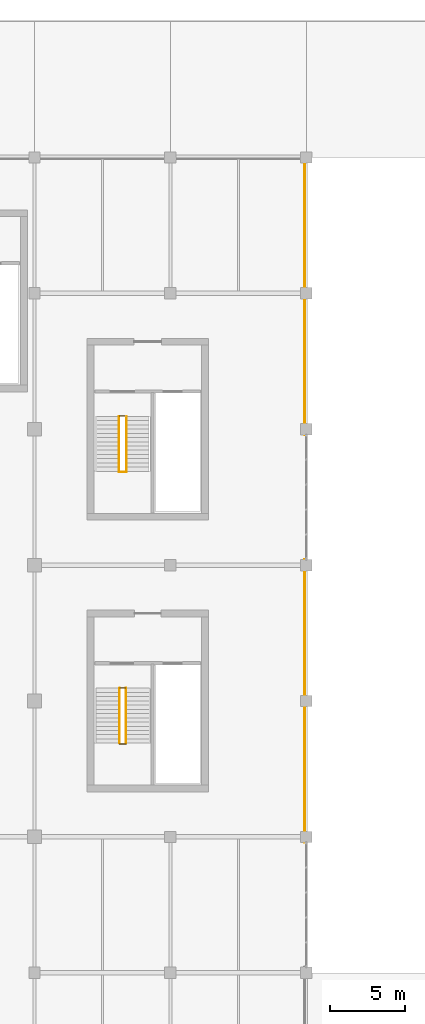
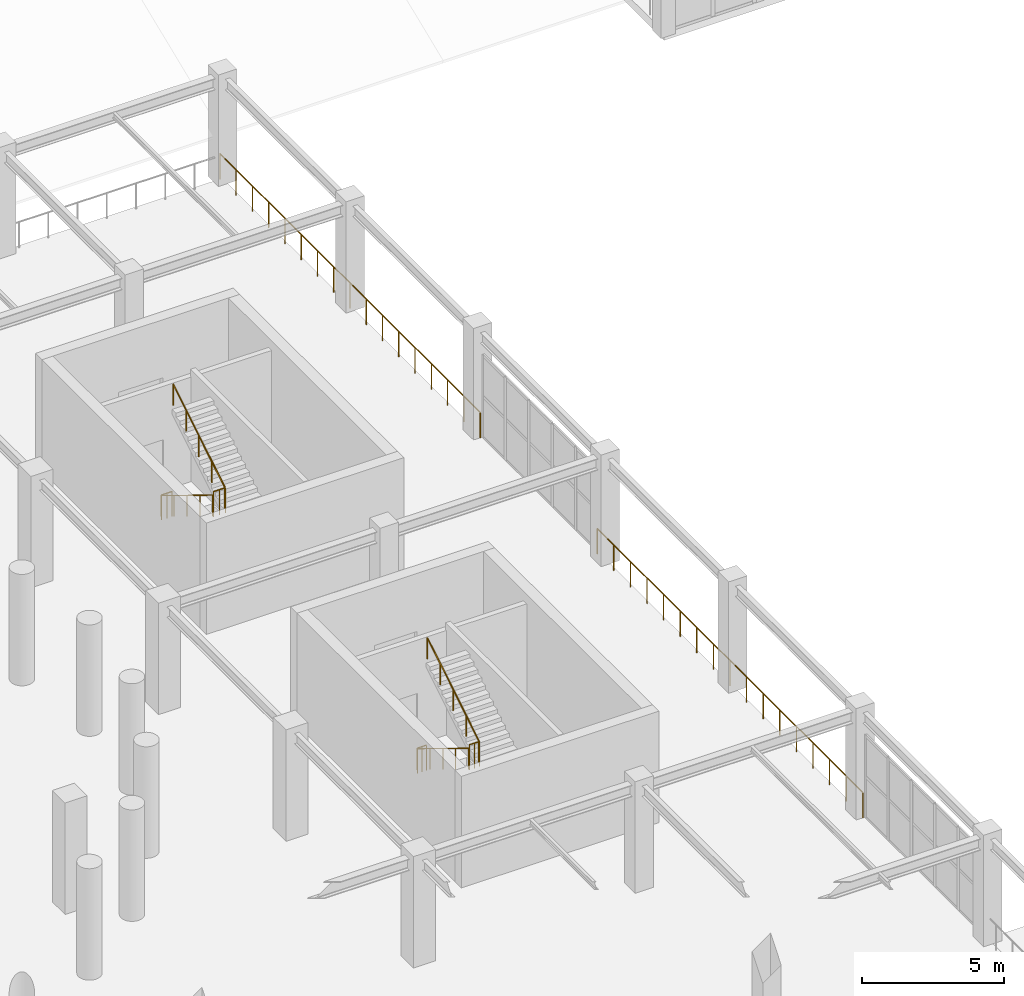
# One storey, part 83 of 89: 10 railings.
"""IFC4 building model written with IfcOpenShell, lengths in metres."""

import ifcopenshell
import ifcopenshell.guid

model = None  # the IFC model being written
_history = None  # IfcOwnerHistory: only IFC2X3 demands one
_inside = {}  # id of a spatial element -> (the spatial element, [elements in it])
_under = {}  # id of a project, library or spatial element -> (it, [spatial elements below it])
_declared = {}  # id of a project -> (the project, [libraries it declares])
_typed = {}  # id of a type object -> (the type object, [elements of that type])
_made_of = {}  # id of a material, layer set ... -> (it, [elements and type objects made of it])


def new_model(schema):
    """Start an empty IFC model of exactly this schema.

    Asked for "IFC4X3", IfcOpenShell would pick the latest addendum, in which some entities
    have other attributes; the version numbers below select the first issue.
    IFC2X3 requires an IfcOwnerHistory on every rooted entity: one is made here for all.
    """
    global model, _history
    if schema == "IFC4X3":
        model = ifcopenshell.file(schema_version=(4, 3, 0, 0))
    else:
        model = ifcopenshell.file(schema=schema)
    _inside.clear()
    _under.clear()
    _declared.clear()
    _typed.clear()
    _made_of.clear()
    _history = None
    if model.schema == "IFC2X3":
        org = make("IfcOrganization", Name="unknown")
        user = make(
            "IfcPersonAndOrganization",
            ThePerson=make("IfcPerson", FamilyName="unknown"),
            TheOrganization=org,
        )
        app = make(
            "IfcApplication",
            ApplicationDeveloper=org,
            Version="unknown",
            ApplicationFullName="unknown",
            ApplicationIdentifier="unknown",
        )
        _history = make(
            "IfcOwnerHistory",
            OwningUser=user,
            OwningApplication=app,
            ChangeAction="ADDED",
            CreationDate=0,
        )
    return model


def make(cls, **values):
    """One entity of the class cls with the attributes given. An attribute that is None is left unset."""
    return model.create_entity(
        cls, **{name: value for name, value in values.items() if value is not None}
    )


def rooted(cls, **values):
    """An entity with a GlobalId (a new one), such as an element, a storey or a relation."""
    return make(cls, GlobalId=ifcopenshell.guid.new(), OwnerHistory=_history, **values)


def si_unit(unit_type, name, prefix=None):
    """IfcSIUnit, for example si_unit("LENGTHUNIT", "METRE", prefix="MILLI")."""
    return make("IfcSIUnit", UnitType=unit_type, Prefix=prefix, Name=name)


def assignment(units):
    """IfcUnitAssignment: the units of a project."""
    return None if units is None else make("IfcUnitAssignment", Units=units)


def point(xyz):
    """IfcCartesianPoint."""
    return None if xyz is None else make("IfcCartesianPoint", Coordinates=xyz)


def direction(xyz):
    """IfcDirection."""
    return None if xyz is None else make("IfcDirection", DirectionRatios=xyz)


def frame(location, z_axis=None, x_axis=None):
    """IfcAxis2Placement3D, a coordinate frame: its origin and axes. An axis left out is left unset."""
    return make(
        "IfcAxis2Placement3D",
        Location=point(location),
        Axis=direction(z_axis),
        RefDirection=direction(x_axis),
    )


def frame_2d(location, x_axis=None):
    """IfcAxis2Placement2D, a coordinate frame in the plane: its origin and x axis."""
    return make(
        "IfcAxis2Placement2D", Location=point(location), RefDirection=direction(x_axis)
    )


def origin():
    """The frame at (0, 0, 0) with its axes left unset."""
    return frame((0.0, 0.0, 0.0))


def origin_2d():
    """The frame at (0, 0) in the plane with its x axis left unset."""
    return frame_2d((0.0, 0.0))


def place(relative_to, where):
    """IfcLocalPlacement: puts the frame where relative to a parent placement (None: the world)."""
    return make(
        "IfcLocalPlacement", PlacementRelTo=relative_to, RelativePlacement=where
    )


def context(
    kind, dimensions, precision=None, world=None, true_north=None, identifier=None
):
    """IfcGeometricRepresentationContext, for example the 3D "Model" context."""
    return make(
        "IfcGeometricRepresentationContext",
        ContextIdentifier=identifier,
        ContextType=kind,
        CoordinateSpaceDimension=dimensions,
        Precision=precision,
        WorldCoordinateSystem=world,
        TrueNorth=true_north,
    )


def subcontext(parent, identifier, kind, view, scale=None):
    """IfcGeometricRepresentationSubContext, for example "Body" below "Model"."""
    return make(
        "IfcGeometricRepresentationSubContext",
        ContextIdentifier=identifier,
        ContextType=kind,
        ParentContext=parent,
        TargetScale=scale,
        TargetView=view,
    )


def project(units=None, contexts=None):
    """IfcProject with its units and contexts."""
    return rooted(
        "IfcProject",
        Name="project",
        RepresentationContexts=contexts,
        UnitsInContext=assignment(units),
    )


def spatial(cls, under=None, at=None, **own):
    """A site, building, storey or space (cls), placed at a placement, below another one or the project."""
    s = rooted(cls, ObjectPlacement=at, **own)
    if under is not None:
        _under.setdefault(under.id(), (under, []))[1].append(s)
    return s


def profile(cls, at=None, kind="AREA", **sizes):
    """A parametric profile (cls). Its sizes go by their IFC names, for example OverallWidth=200.0."""
    return make(cls, ProfileType=kind, Position=at, **sizes)


def circle(**sizes):
    """IfcCircleProfileDef."""
    return profile("IfcCircleProfileDef", **sizes)


def extrude(swept, where, along, depth):
    """IfcExtrudedAreaSolid: the profile swept, set in the frame where, extruded along a direction by depth."""
    return make(
        "IfcExtrudedAreaSolid",
        SweptArea=swept,
        Position=where,
        ExtrudedDirection=direction(along),
        Depth=depth,
    )


def shape(context_of_items, identifier, shape_type, items):
    """IfcShapeRepresentation: the items that make up one representation, for example the "Body"."""
    return make(
        "IfcShapeRepresentation",
        ContextOfItems=context_of_items,
        RepresentationIdentifier=identifier,
        RepresentationType=shape_type,
        Items=items,
    )


def material(Name=None, Category=None):
    """IfcMaterial."""
    return make("IfcMaterial", Name=Name, Category=Category)


def made_of(thing, what):
    """Note that an element or type object is made of a material, layer set ...; save() writes the relation."""
    if what is not None:
        _made_of.setdefault(what.id(), (what, []))[1].append(thing)
    return thing


def type_object(cls, material=None, **own):
    """A type object (cls), such as IfcWallType, which elements share."""
    return made_of(rooted(cls, **own), material)


def element(
    cls,
    number,
    at=None,
    inside=None,
    cuts=None,
    type_object=None,
    material=None,
    context=None,
    identifier="Body",
    shape_type=None,
    held_by="IfcProductDefinitionShape",
    body=None,
    shapes=None,
    **own,
):
    """One element of the class cls, such as IfcWall. Its Tag is "e" and its number.

    at: its placement. inside: the storey or other place that contains it. cuts: it is an
    opening in that element (IfcRelVoidsElement). A single representation is given by context,
    identifier, shape_type and body (its items); several are given by shapes. held_by: the class
    of the entity that holds the representations. save() writes the other relations.
    """
    e = rooted(cls, Tag="e%d" % number, ObjectPlacement=at, **own)
    if body is not None:
        shapes = [shape(context, identifier, shape_type, body)]
    if shapes is not None:
        e.Representation = make(held_by, Representations=shapes)
    if inside is not None:
        _inside.setdefault(inside.id(), (inside, []))[1].append(e)
    if cuts is not None:
        rooted(
            "IfcRelVoidsElement", RelatingBuildingElement=cuts, RelatedOpeningElement=e
        )
    if type_object is not None:
        _typed.setdefault(type_object.id(), (type_object, []))[1].append(e)
    return made_of(e, material)


def aggregate(whole, parts):
    """IfcRelAggregates: a whole, such as a stair, and the parts it consists of."""
    return rooted("IfcRelAggregates", RelatingObject=whole, RelatedObjects=parts)


def save(model, path):
    """Write the relations noted so far, then the file.

    IfcRelAggregates (storeys below a building ...), IfcRelContainedInSpatialStructure (elements
    in a storey), IfcRelDefinesByType, IfcRelAssociatesMaterial and IfcRelDeclares: one each for
    every whole, place, type object, material and project.
    """
    for whole, parts in _under.values():
        aggregate(whole, parts)
    for where, things in _inside.values():
        rooted(
            "IfcRelContainedInSpatialStructure",
            RelatedElements=things,
            RelatingStructure=where,
        )
    for kind, things in _typed.values():
        rooted("IfcRelDefinesByType", RelatedObjects=things, RelatingType=kind)
    for what, things in _made_of.values():
        rooted("IfcRelAssociatesMaterial", RelatedObjects=things, RelatingMaterial=what)
    for by, libraries in _declared.values():
        rooted("IfcRelDeclares", RelatingContext=by, RelatedDefinitions=libraries)
    model.write(path)


model = new_model("IFC4")

# Units and contexts
model_context = context("Model", 3, precision=1e-05, world=origin(), true_north=direction((0.0, 1.0)))
body_context = subcontext(model_context, "Body", "Model", "MODEL_VIEW")
ifc_project = project(units=[si_unit("LENGTHUNIT", "METRE"), si_unit("AREAUNIT", "SQUARE_METRE"), si_unit("VOLUMEUNIT", "CUBIC_METRE"), si_unit("PLANEANGLEUNIT", "RADIAN"), si_unit("MASSUNIT", "GRAM", prefix="KILO")], contexts=[model_context])

# Site, building, storey
site_placement = place(None, origin())
site = spatial("IfcSite", under=ifc_project, at=site_placement, CompositionType="ELEMENT")
building_placement = place(site_placement, origin())
building = spatial("IfcBuilding", under=site, at=building_placement, Name="Dornveld Trade and Exhibition Forum", CompositionType="ELEMENT")
storey_placement = place(building_placement, frame((0.0, 0.0, 12.0)))
storey = spatial("IfcBuildingStorey", under=building, at=storey_placement, Name="L02", CompositionType="ELEMENT", Elevation=12.0)

# Railings
ifc_material_1 = material(Name="Dark-bronze steel and laminated glass balustrade", Category="steel")
railing_type_1 = type_object("IfcRailingType", Name="RL-BALUST-CONC", PredefinedType="BALUSTRADE", material=ifc_material_1)
railing_1_placement = place(storey_placement, frame((152.89990234375, 108.0, 0.0)))
element("IfcRailing", 1, at=railing_1_placement, inside=storey, type_object=railing_type_1, Name="L02 deck edge balustrade 139", PredefinedType="BALUSTRADE", context=body_context, shape_type="SweptSolid", body=[
    extrude(circle(Radius=0.02490234375, at=origin_2d()), frame((0.0, 0.0, 1.09521484375), z_axis=(0.0, -1.0, 0.0), x_axis=(1.0, 0.0, 0.0)), (0.0, 0.0, 1.0), 18.37109375),
    extrude(circle(Radius=0.02099609375, at=origin_2d()), origin(), (0.0, 0.0, 1.0), 1.070068359375),
    extrude(circle(Radius=0.02099609375, at=origin_2d()), frame((0.0, -1.148193359375, 0.0)), (0.0, 0.0, 1.0), 1.070068359375),
    extrude(circle(Radius=0.02099609375, at=origin_2d()), frame((0.0, -2.29638671875, 0.0)), (0.0, 0.0, 1.0), 1.070068359375),
    extrude(circle(Radius=0.02099609375, at=origin_2d()), frame((0.0, -3.444580078125, 0.0)), (0.0, 0.0, 1.0), 1.070068359375),
    extrude(circle(Radius=0.02099609375, at=origin_2d()), frame((0.0, -4.5927734375, 0.0)), (0.0, 0.0, 1.0), 1.070068359375),
    extrude(circle(Radius=0.02099609375, at=origin_2d()), frame((0.0, -5.740966796875, 0.0)), (0.0, 0.0, 1.0), 1.070068359375),
    extrude(circle(Radius=0.02099609375, at=origin_2d()), frame((0.0, -6.88916015625, 0.0)), (0.0, 0.0, 1.0), 1.070068359375),
    extrude(circle(Radius=0.02099609375, at=origin_2d()), frame((0.0, -8.037353515625, 0.0)), (0.0, 0.0, 1.0), 1.070068359375),
    extrude(circle(Radius=0.02099609375, at=origin_2d()), frame((0.0, -9.185546875, 0.0)), (0.0, 0.0, 1.0), 1.070068359375),
    extrude(circle(Radius=0.02099609375, at=origin_2d()), frame((0.0, -10.333740234375, 0.0)), (0.0, 0.0, 1.0), 1.070068359375),
    extrude(circle(Radius=0.02099609375, at=origin_2d()), frame((0.0, -11.48193359375, 0.0)), (0.0, 0.0, 1.0), 1.070068359375),
    extrude(circle(Radius=0.02099609375, at=origin_2d()), frame((0.0, -12.630126953125, 0.0)), (0.0, 0.0, 1.0), 1.070068359375),
    extrude(circle(Radius=0.02099609375, at=origin_2d()), frame((0.0, -13.7783203125, 0.0)), (0.0, 0.0, 1.0), 1.070068359375),
    extrude(circle(Radius=0.02099609375, at=origin_2d()), frame((0.0, -14.926513671875, 0.0)), (0.0, 0.0, 1.0), 1.070068359375),
    extrude(circle(Radius=0.02099609375, at=origin_2d()), frame((0.0, -16.07470703125, 0.0)), (0.0, 0.0, 1.0), 1.070068359375),
    extrude(circle(Radius=0.02099609375, at=origin_2d()), frame((0.0, -17.222900390625, 0.0)), (0.0, 0.0, 1.0), 1.070068359375),
    extrude(circle(Radius=0.02099609375, at=origin_2d()), frame((0.0, -18.37109375, 0.0)), (0.0, 0.0, 1.0), 1.070068359375),
])
railing_2_placement = place(storey_placement, frame((152.89990234375, 81.37109375, 0.0)))
element("IfcRailing", 2, at=railing_2_placement, inside=storey, type_object=railing_type_1, Name="L02 deck edge balustrade 140", PredefinedType="BALUSTRADE", context=body_context, shape_type="SweptSolid", body=[
    extrude(circle(Radius=0.02490234375, at=origin_2d()), frame((0.0, 0.0, 1.09521484375), z_axis=(0.0, -1.0, 0.0), x_axis=(1.0, 0.0, 0.0)), (0.0, 0.0, 1.0), 18.7421875),
    extrude(circle(Radius=0.02099609375, at=origin_2d()), origin(), (0.0, 0.0, 1.0), 1.070068359375),
    extrude(circle(Radius=0.02099609375, at=origin_2d()), frame((0.0, -1.17138671875, 0.0)), (0.0, 0.0, 1.0), 1.070068359375),
    extrude(circle(Radius=0.02099609375, at=origin_2d()), frame((0.0, -2.3427734375, 0.0)), (0.0, 0.0, 1.0), 1.070068359375),
    extrude(circle(Radius=0.02099609375, at=origin_2d()), frame((0.0, -3.51416015625, 0.0)), (0.0, 0.0, 1.0), 1.070068359375),
    extrude(circle(Radius=0.02099609375, at=origin_2d()), frame((0.0, -4.685546875, 0.0)), (0.0, 0.0, 1.0), 1.070068359375),
    extrude(circle(Radius=0.02099609375, at=origin_2d()), frame((0.0, -5.85693359375, 0.0)), (0.0, 0.0, 1.0), 1.070068359375),
    extrude(circle(Radius=0.02099609375, at=origin_2d()), frame((0.0, -7.0283203125, 0.0)), (0.0, 0.0, 1.0), 1.070068359375),
    extrude(circle(Radius=0.02099609375, at=origin_2d()), frame((0.0, -8.19970703125, 0.0)), (0.0, 0.0, 1.0), 1.070068359375),
    extrude(circle(Radius=0.02099609375, at=origin_2d()), frame((0.0, -9.37109375, 0.0)), (0.0, 0.0, 1.0), 1.070068359375),
    extrude(circle(Radius=0.02099609375, at=origin_2d()), frame((0.0, -10.54248046875, 0.0)), (0.0, 0.0, 1.0), 1.070068359375),
    extrude(circle(Radius=0.02099609375, at=origin_2d()), frame((0.0, -11.7138671875, 0.0)), (0.0, 0.0, 1.0), 1.070068359375),
    extrude(circle(Radius=0.02099609375, at=origin_2d()), frame((0.0, -12.88525390625, 0.0)), (0.0, 0.0, 1.0), 1.070068359375),
    extrude(circle(Radius=0.02099609375, at=origin_2d()), frame((0.0, -14.056640625, 0.0)), (0.0, 0.0, 1.0), 1.070068359375),
    extrude(circle(Radius=0.02099609375, at=origin_2d()), frame((0.0, -15.22802734375, 0.0)), (0.0, 0.0, 1.0), 1.070068359375),
    extrude(circle(Radius=0.02099609375, at=origin_2d()), frame((0.0, -16.3994140625, 0.0)), (0.0, 0.0, 1.0), 1.070068359375),
    extrude(circle(Radius=0.02099609375, at=origin_2d()), frame((0.0, -17.57080078125, 0.0)), (0.0, 0.0, 1.0), 1.070068359375),
    extrude(circle(Radius=0.02099609375, at=origin_2d()), frame((0.0, -18.7421875, 0.0)), (0.0, 0.0, 1.0), 1.070068359375),
])
ifc_material_2 = material(Name="Brushed stainless steel handrail", Category="steel")
railing_type_2 = type_object("IfcRailingType", Name="RL-HAND-920", PredefinedType="HANDRAIL", material=ifc_material_2)
railing_3_placement = place(storey_placement, frame((140.60498046875, 90.85009765625, 0.17138671875)))
element("IfcRailing", 3, at=railing_3_placement, inside=storey, type_object=railing_type_2, Name="ST-01-L02 flight 1 handrail", PredefinedType="HANDRAIL", context=body_context, shape_type="SweptSolid", body=[
    extrude(circle(Radius=0.02099609375, at=origin_2d()), frame((0.0, 0.0, 0.89892578125), z_axis=(0.0, -0.852865859571, 0.52213008492), x_axis=(1.0, 0.0, 0.0)), (0.0, 0.0, 1.0), 4.26806640625),
    extrude(circle(Radius=0.01806640625, at=origin_2d()), origin(), (0.0, 0.0, 1.0), 0.8779296875),
    extrude(circle(Radius=0.01806640625, at=origin_2d()), frame((0.0, -0.91015625, 0.55712890625)), (0.0, 0.0, 1.0), 0.8779296875),
    extrude(circle(Radius=0.01806640625, at=origin_2d()), frame((0.0, -1.820068359375, 1.1142578125)), (0.0, 0.0, 1.0), 0.8779296875),
    extrude(circle(Radius=0.01806640625, at=origin_2d()), frame((0.0, -2.72998046875, 1.67138671875)), (0.0, 0.0, 1.0), 0.8779296875),
    extrude(circle(Radius=0.01806640625, at=origin_2d()), frame((0.0, -3.64013671875, 2.228515625)), (0.0, 0.0, 1.0), 0.8779296875),
])
railing_4_placement = place(storey_placement, frame((141.094970703125, 87.2099609375, 2.5712890625)))
element("IfcRailing", 4, at=railing_4_placement, inside=storey, type_object=railing_type_2, Name="ST-01-L02 flight 2 handrail", PredefinedType="HANDRAIL", context=body_context, shape_type="SweptSolid", body=[
    extrude(circle(Radius=0.02099609375, at=origin_2d()), frame((0.0, 0.0, 0.89892578125), z_axis=(0.0, 0.852840387347, 0.522171689878), x_axis=(-1.0, 0.0, 0.0)), (0.0, 0.0, 1.0), 4.268310546875),
    extrude(circle(Radius=0.01806640625, at=origin_2d()), origin(), (0.0, 0.0, 1.0), 0.8779296875),
    extrude(circle(Radius=0.01806640625, at=origin_2d()), frame((0.0, 0.91015625, 0.55712890625)), (0.0, 0.0, 1.0), 0.8779296875),
    extrude(circle(Radius=0.01806640625, at=origin_2d()), frame((0.0, 1.820068359375, 1.1142578125)), (0.0, 0.0, 1.0), 0.8779296875),
    extrude(circle(Radius=0.01806640625, at=origin_2d()), frame((0.0, 2.72998046875, 1.671630859375)), (0.0, 0.0, 1.0), 0.8779296875),
    extrude(circle(Radius=0.01806640625, at=origin_2d()), frame((0.0, 3.64013671875, 2.228759765625)), (0.0, 0.0, 1.0), 0.8779296875),
])
railing_5_placement = place(storey_placement, frame((140.639892578125, 72.85009765625, 0.17138671875)))
element("IfcRailing", 5, at=railing_5_placement, inside=storey, type_object=railing_type_2, Name="ST-08-L02 flight 1 handrail", PredefinedType="HANDRAIL", context=body_context, shape_type="SweptSolid", body=[
    extrude(circle(Radius=0.02099609375, at=origin_2d()), frame((0.0, 0.0, 0.89892578125), z_axis=(0.0, -0.852865859571, 0.52213008492), x_axis=(1.0, 0.0, 0.0)), (0.0, 0.0, 1.0), 4.26806640625),
    extrude(circle(Radius=0.01806640625, at=origin_2d()), origin(), (0.0, 0.0, 1.0), 0.8779296875),
    extrude(circle(Radius=0.01806640625, at=origin_2d()), frame((0.0, -0.91015625, 0.55712890625)), (0.0, 0.0, 1.0), 0.8779296875),
    extrude(circle(Radius=0.01806640625, at=origin_2d()), frame((0.0, -1.820068359375, 1.1142578125)), (0.0, 0.0, 1.0), 0.8779296875),
    extrude(circle(Radius=0.01806640625, at=origin_2d()), frame((0.0, -2.72998046875, 1.67138671875)), (0.0, 0.0, 1.0), 0.8779296875),
    extrude(circle(Radius=0.01806640625, at=origin_2d()), frame((0.0, -3.64013671875, 2.228515625)), (0.0, 0.0, 1.0), 0.8779296875),
])
railing_6_placement = place(storey_placement, frame((141.06005859375, 69.2099609375, 2.5712890625)))
element("IfcRailing", 6, at=railing_6_placement, inside=storey, type_object=railing_type_2, Name="ST-08-L02 flight 2 handrail", PredefinedType="HANDRAIL", context=body_context, shape_type="SweptSolid", body=[
    extrude(circle(Radius=0.02099609375, at=origin_2d()), frame((0.0, 0.0, 0.89892578125), z_axis=(0.0, 0.852840387347, 0.522171689878), x_axis=(-1.0, 0.0, 0.0)), (0.0, 0.0, 1.0), 4.268310546875),
    extrude(circle(Radius=0.01806640625, at=origin_2d()), origin(), (0.0, 0.0, 1.0), 0.8779296875),
    extrude(circle(Radius=0.01806640625, at=origin_2d()), frame((0.0, 0.91015625, 0.55712890625)), (0.0, 0.0, 1.0), 0.8779296875),
    extrude(circle(Radius=0.01806640625, at=origin_2d()), frame((0.0, 1.820068359375, 1.1142578125)), (0.0, 0.0, 1.0), 0.8779296875),
    extrude(circle(Radius=0.01806640625, at=origin_2d()), frame((0.0, 2.72998046875, 1.671630859375)), (0.0, 0.0, 1.0), 0.8779296875),
    extrude(circle(Radius=0.01806640625, at=origin_2d()), frame((0.0, 3.64013671875, 2.228759765625)), (0.0, 0.0, 1.0), 0.8779296875),
])
ifc_material_3 = material(Name="Painted steel S355J2 stair-well guard", Category="steel")
railing_type_3 = type_object("IfcRailingType", Name="RL-WELL-110", PredefinedType="GUARDRAIL", material=ifc_material_3)
railing_7_placement = place(storey_placement, frame((140.60498046875, 87.159912109375, 2.39990234375)))
element("IfcRailing", 7, at=railing_7_placement, inside=storey, type_object=railing_type_3, Name="ST-01-L02 half-landing well guard", PredefinedType="GUARDRAIL", context=body_context, shape_type="SweptSolid", body=[
    extrude(circle(Radius=0.02392578125, at=origin_2d()), frame((0.0, 0.0, 1.076171875), z_axis=(1.0, 0.0, 0.0), x_axis=(0.0, 1.0, 0.0)), (0.0, 0.0, 1.0), 0.489990234375),
    extrude(circle(Radius=0.02001953125, at=origin_2d()), origin(), (0.0, 0.0, 1.0), 1.052001953125),
    extrude(circle(Radius=0.02001953125, at=origin_2d()), frame((0.2451171875, 0.0, 0.0)), (0.0, 0.0, 1.0), 1.052001953125),
    extrude(circle(Radius=0.02001953125, at=origin_2d()), frame((0.489990234375, 0.0, 0.0)), (0.0, 0.0, 1.0), 1.052001953125),
])
railing_8_placement = place(storey_placement, frame((140.635009765625, 90.8701171875, 0.0)))
element("IfcRailing", 8, at=railing_8_placement, inside=storey, type_object=railing_type_3, Name="CORE-01 L02 stair-slot floor guard", PredefinedType="GUARDRAIL", context=body_context, shape_type="SweptSolid", body=[
    extrude(circle(Radius=0.02392578125, at=origin_2d()), frame((0.0, 0.0, 1.076171875), z_axis=(1.0, 0.0, 0.0), x_axis=(0.0, 1.0, 0.0)), (0.0, 0.0, 1.0), 0.429931640625),
    extrude(circle(Radius=0.02001953125, at=origin_2d()), origin(), (0.0, 0.0, 1.0), 1.052001953125),
    extrude(circle(Radius=0.02001953125, at=origin_2d()), frame((0.21484375, 0.0, 0.0)), (0.0, 0.0, 1.0), 1.052001953125),
    extrude(circle(Radius=0.02001953125, at=origin_2d()), frame((0.429931640625, 0.0, 0.0)), (0.0, 0.0, 1.0), 1.052001953125),
])
railing_9_placement = place(storey_placement, frame((140.639892578125, 69.159912109375, 2.39990234375)))
element("IfcRailing", 9, at=railing_9_placement, inside=storey, type_object=railing_type_3, Name="ST-08-L02 half-landing well guard", PredefinedType="GUARDRAIL", context=body_context, shape_type="SweptSolid", body=[
    extrude(circle(Radius=0.02392578125, at=origin_2d()), frame((0.0, 0.0, 1.076171875), z_axis=(1.0, 0.0, 0.0), x_axis=(0.0, 1.0, 0.0)), (0.0, 0.0, 1.0), 0.420166015625),
    extrude(circle(Radius=0.02001953125, at=origin_2d()), origin(), (0.0, 0.0, 1.0), 1.052001953125),
    extrude(circle(Radius=0.02001953125, at=origin_2d()), frame((0.2099609375, 0.0, 0.0)), (0.0, 0.0, 1.0), 1.052001953125),
    extrude(circle(Radius=0.02001953125, at=origin_2d()), frame((0.420166015625, 0.0, 0.0)), (0.0, 0.0, 1.0), 1.052001953125),
])
railing_10_placement = place(storey_placement, frame((140.669921875, 72.8701171875, 0.0)))
element("IfcRailing", 10, at=railing_10_placement, inside=storey, type_object=railing_type_3, Name="CORE-08 L02 stair-slot floor guard", PredefinedType="GUARDRAIL", context=body_context, shape_type="SweptSolid", body=[
    extrude(circle(Radius=0.02392578125, at=origin_2d()), frame((0.0, 0.0, 1.076171875), z_axis=(1.0, 0.0, 0.0), x_axis=(0.0, 1.0, 0.0)), (0.0, 0.0, 1.0), 0.360107421875),
    extrude(circle(Radius=0.02001953125, at=origin_2d()), origin(), (0.0, 0.0, 1.0), 1.052001953125),
    extrude(circle(Radius=0.02001953125, at=origin_2d()), frame((0.18017578125, 0.0, 0.0)), (0.0, 0.0, 1.0), 1.052001953125),
    extrude(circle(Radius=0.02001953125, at=origin_2d()), frame((0.360107421875, 0.0, 0.0)), (0.0, 0.0, 1.0), 1.052001953125),
])

save(model, "model.ifc")
